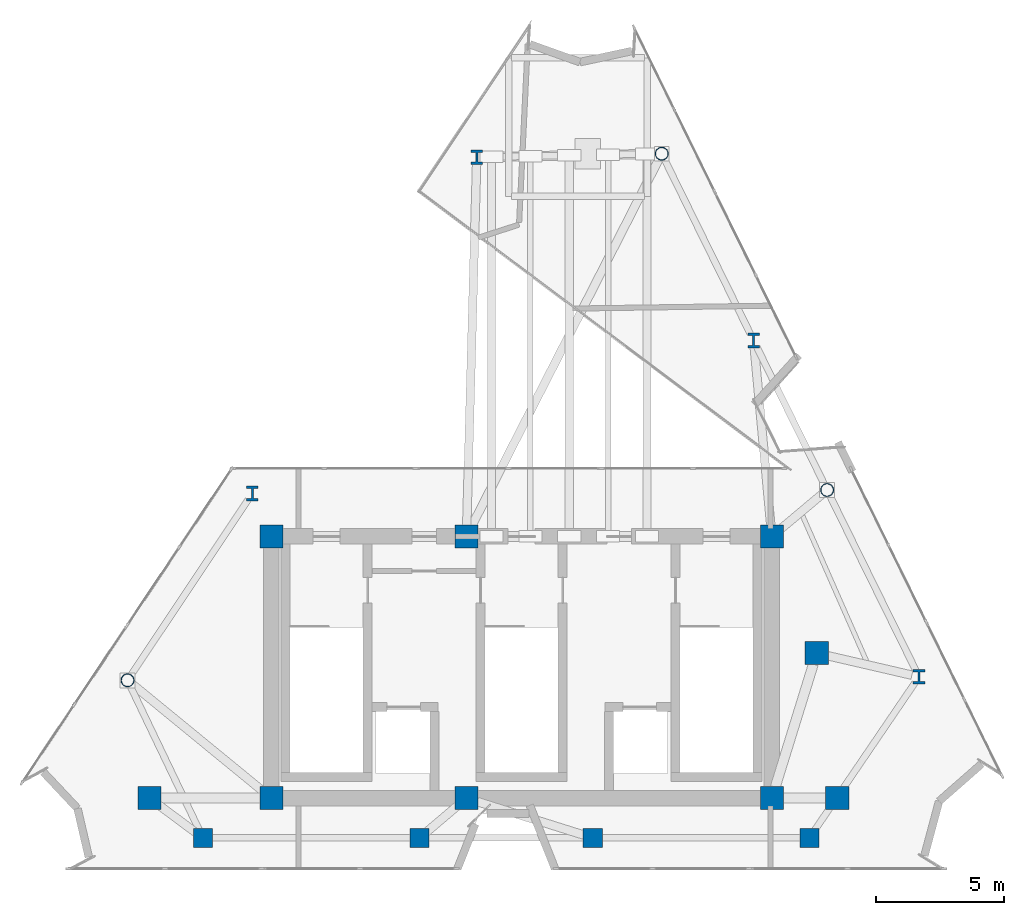
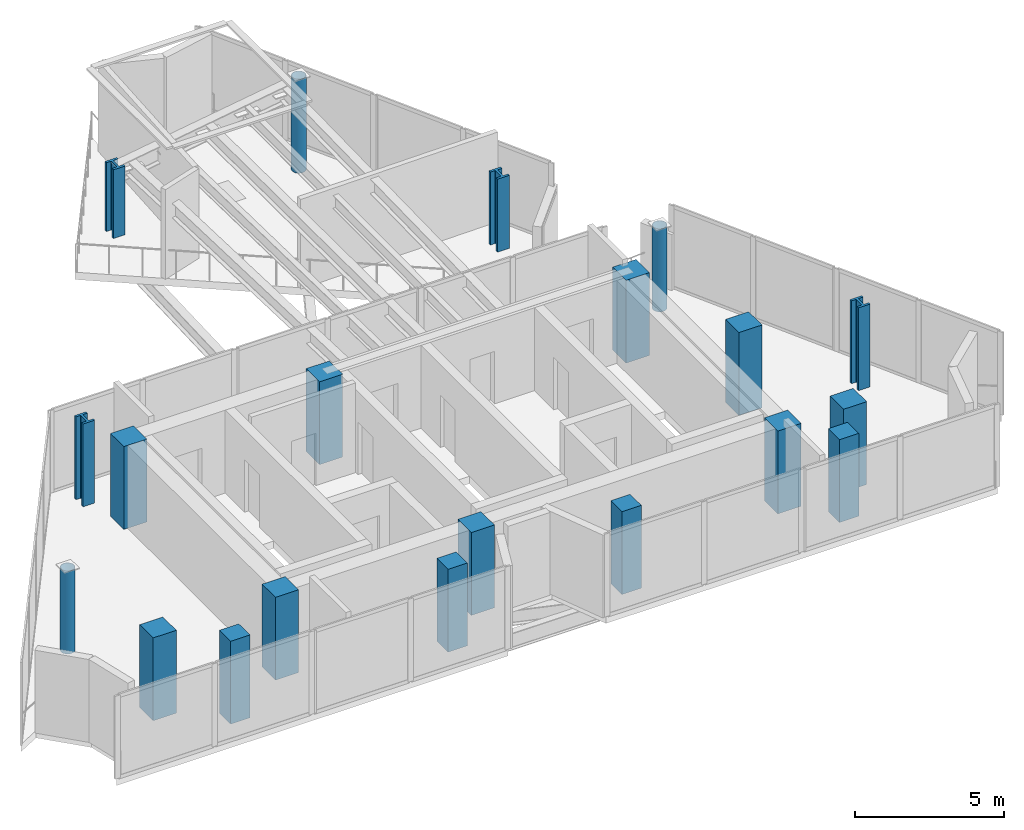
# One storey, part 1 of 7: 20 columns.
"""IFC4 building model written with IfcOpenShell, lengths in metres."""

from ifc_helpers import new_model, si_unit, direction, frame, origin, origin_2d, place, context, subcontext, project, spatial, rectangle, hollow_circle, i_section, extrude, material, material_profile, profile_set, type_object, element, save


model = new_model("IFC4")

# Units and contexts
model_context = context("Model", 3, precision=1e-05, world=origin(), true_north=direction((0.0, 1.0)))
body_context = subcontext(model_context, "Body", "Model", "MODEL_VIEW")
ifc_project = project(units=[si_unit("LENGTHUNIT", "METRE"), si_unit("AREAUNIT", "SQUARE_METRE"), si_unit("VOLUMEUNIT", "CUBIC_METRE"), si_unit("PLANEANGLEUNIT", "RADIAN"), si_unit("MASSUNIT", "GRAM", prefix="KILO")], contexts=[model_context])

# Site, building, storey
site_placement = place(None, origin())
site = spatial("IfcSite", under=ifc_project, at=site_placement, CompositionType="ELEMENT")
building_placement = place(site_placement, origin())
building = spatial("IfcBuilding", under=site, at=building_placement, Name="Almagre Mirador Tower", CompositionType="ELEMENT")
storey_placement = place(building_placement, frame((0.0, 0.0, 318.5)))
storey = spatial("IfcBuildingStorey", under=building, at=storey_placement, Name="L82", CompositionType="ELEMENT", Elevation=318.5)

# Columns
ifc_material_1 = material(Name="Concrete C60/75", Category="concrete")
ifc_material_profile_1 = material_profile(ifc_material_1, rectangle(XDim=0.75, YDim=0.75, at=origin_2d()), Name="RC750X750")
ifc_profile_set_1 = profile_set([ifc_material_profile_1], Name="Concrete C60/75")
column_type_1 = type_object("IfcColumnType", Name="COL-RC750", PredefinedType="COLUMN", material=ifc_profile_set_1)
for number, where, z_axis, x_axis, name in (
    (1, (24.884033203125, 3.0, 0.0), (0.0, 0.0, 1.0), (1.0, 0.0, 0.0), "L82 perimeter column PC01"),
    (2, (33.323974609375, 3.0, 0.0), (0.0, 0.0, 1.0), (1.0, 0.0, 0.0), "L82 perimeter column PC02"),
    (3, (40.075927734375, 3.0, 0.0), (0.0, 0.0, 1.0), (1.0, 0.0, 0.0), "L82 perimeter column PC03"),
    (4, (48.51611328125, 3.0, 0.0), (0.0, 0.0, 1.0), (1.0, 0.0, 0.0), "L82 perimeter column PC04"),
):
    element("IfcColumn", number, at=place(storey_placement, frame(where, z_axis=z_axis, x_axis=x_axis)), inside=storey, type_object=column_type_1, Name=name, PredefinedType="COLUMN", context=body_context, shape_type="SweptSolid", body=[
        extrude(rectangle(XDim=0.75, YDim=0.75, at=origin_2d()), origin(), (0.0, 0.0, 1.0), 3.39990234375),
    ])
ifc_material_2 = material(Name="Concrete C60/75", Category="concrete")
ifc_material_profile_2 = material_profile(ifc_material_2, rectangle(XDim=0.89990234375, YDim=0.89990234375, at=origin_2d()), Name="RC900X900")
ifc_profile_set_2 = profile_set([ifc_material_profile_2], Name="Concrete C60/75")
column_type_2 = type_object("IfcColumnType", Name="COL-RC900", PredefinedType="COLUMN", material=ifc_profile_set_2)
for number, where, z_axis, x_axis, name in (
    (5, (27.550048828125, 4.550048828125, 0.0), (0.0, 0.0, 1.0), (1.0, 0.0, 0.0), "L82 core spine column CC1"),
    (6, (35.14990234375, 4.550048828125, 0.0), (0.0, 0.0, 1.0), (1.0, 0.0, 0.0), "L82 core spine column CC2"),
    (7, (47.050048828125, 4.550048828125, 0.0), (0.0, 0.0, 1.0), (1.0, 0.0, 0.0), "L82 core spine column CC3"),
    (8, (27.550048828125, 14.75, 0.0), (0.0, 0.0, 1.0), (1.0, 0.0, 0.0), "L82 core spine column CC4"),
    (9, (35.14990234375, 14.75, 0.0), (0.0, 0.0, 1.0), (1.0, 0.0, 0.0), "L82 core spine column CC5"),
    (10, (47.050048828125, 14.75, 0.0), (0.0, 0.0, 1.0), (1.0, 0.0, 0.0), "L82 core spine column CC6"),
    (11, (22.800048828125, 4.550048828125, 0.0), (0.0, 0.0, 1.0), (1.0, 0.0, 0.0), "L82 interior transfer column MC1"),
    (12, (49.60009765625, 4.550048828125, 0.0), (0.0, 0.0, 1.0), (1.0, 0.0, 0.0), "L82 interior transfer column MC2"),
    (13, (48.800048828125, 10.199951171875, 0.0), (0.0, 0.0, 1.0), (1.0, 0.0, 0.0), "L82 interior transfer column MC3"),
):
    element("IfcColumn", number, at=place(storey_placement, frame(where, z_axis=z_axis, x_axis=x_axis)), inside=storey, type_object=column_type_2, Name=name, PredefinedType="COLUMN", context=body_context, shape_type="SweptSolid", body=[
        extrude(rectangle(XDim=0.89990234375, YDim=0.89990234375, at=origin_2d()), origin(), (0.0, 0.0, 1.0), 3.39990234375),
    ])
ifc_material_3 = material(Name="Steel ASTM A500 Grade C", Category="steel")
ifc_material_profile_3 = material_profile(ifc_material_3, hollow_circle(Radius=0.25390625, WallThickness=0.01611328125, at=origin_2d()), Name="CHS508X16")
ifc_profile_set_3 = profile_set([ifc_material_profile_3], Name="Steel ASTM A500 Grade C")
column_type_3 = type_object("IfcColumnType", Name="COL-STL-CHS508", PredefinedType="COLUMN", material=ifc_profile_set_3)
column_1_placement = place(storey_placement, frame((49.205078125, 16.55810546875, 0.0), z_axis=(0.0, 0.0, 1.0), x_axis=(1.0, 0.0, 0.0)))
element("IfcColumn", 14, at=column_1_placement, inside=storey, type_object=column_type_3, Name="L82 perimeter column PC06", PredefinedType="COLUMN", context=body_context, shape_type="SweptSolid", body=[
    extrude(hollow_circle(Radius=0.25390625, WallThickness=0.01611328125, at=origin_2d()), origin(), (0.0, 0.0, 1.0), 3.39990234375),
])
column_2_placement = place(storey_placement, frame((42.760986328125, 29.662109375, 0.0), z_axis=(0.0, 0.0, 1.0), x_axis=(1.0, 0.0, 0.0)))
element("IfcColumn", 15, at=column_2_placement, inside=storey, type_object=column_type_3, Name="L82 perimeter column PC08", PredefinedType="COLUMN", context=body_context, shape_type="SweptSolid", body=[
    extrude(hollow_circle(Radius=0.25390625, WallThickness=0.01611328125, at=origin_2d()), origin(), (0.0, 0.0, 1.0), 3.85009765625),
])
column_3_placement = place(storey_placement, frame((21.944091796875, 9.14208984375, 0.0), z_axis=(0.0, 0.0, 1.0), x_axis=(1.0, 0.0, 0.0)))
element("IfcColumn", 16, at=column_3_placement, inside=storey, type_object=column_type_3, Name="L82 perimeter column PC12", PredefinedType="COLUMN", context=body_context, shape_type="SweptSolid", body=[
    extrude(hollow_circle(Radius=0.25390625, WallThickness=0.01611328125, at=origin_2d()), origin(), (0.0, 0.0, 1.0), 3.39990234375),
])
ifc_material_4 = material(Name="Steel ASTM A992 Grade 50", Category="steel")
ifc_material_profile_4 = material_profile(ifc_material_4, i_section(OverallWidth=0.4541015625, OverallDepth=0.570068359375, WebThickness=0.077880859375, FlangeThickness=0.093994140625, FilletRadius=0.02001953125, at=origin_2d()), Name="W14X730")
ifc_profile_set_4 = profile_set([ifc_material_profile_4], Name="Steel ASTM A992 Grade 50")
column_type_4 = type_object("IfcColumnType", Name="COL-STL-W14X730", PredefinedType="COLUMN", material=ifc_profile_set_4)
column_4_placement = place(storey_placement, frame((52.784912109375, 9.278076171875, 0.0), z_axis=(0.0, 0.0, 1.0), x_axis=(1.0, 0.0, 0.0)))
element("IfcColumn", 17, at=column_4_placement, inside=storey, type_object=column_type_4, Name="L82 perimeter column PC05", PredefinedType="COLUMN", context=body_context, shape_type="SweptSolid", body=[
    extrude(i_section(OverallWidth=0.4541015625, OverallDepth=0.570068359375, WebThickness=0.077880859375, FlangeThickness=0.093994140625, FilletRadius=0.02001953125, at=origin_2d()), origin(), (0.0, 0.0, 1.0), 3.39990234375),
])
column_5_placement = place(storey_placement, frame((46.341064453125, 22.382080078125, 0.0), z_axis=(0.0, 0.0, 1.0), x_axis=(1.0, 0.0, 0.0)))
element("IfcColumn", 18, at=column_5_placement, inside=storey, type_object=column_type_4, Name="L82 perimeter column PC07", PredefinedType="COLUMN", context=body_context, shape_type="SweptSolid", body=[
    extrude(i_section(OverallWidth=0.4541015625, OverallDepth=0.570068359375, WebThickness=0.077880859375, FlangeThickness=0.093994140625, FilletRadius=0.02001953125, at=origin_2d()), origin(), (0.0, 0.0, 1.0), 2.9951171875),
])
column_6_placement = place(storey_placement, frame((35.552001953125, 29.52587890625, 0.0), z_axis=(0.0, 0.0, 1.0), x_axis=(1.0, 0.0, 0.0)))
element("IfcColumn", 19, at=column_6_placement, inside=storey, type_object=column_type_4, Name="L82 perimeter column PC09", PredefinedType="COLUMN", context=body_context, shape_type="SweptSolid", body=[
    extrude(i_section(OverallWidth=0.4541015625, OverallDepth=0.570068359375, WebThickness=0.077880859375, FlangeThickness=0.093994140625, FilletRadius=0.02001953125, at=origin_2d()), origin(), (0.0, 0.0, 1.0), 2.822998046875),
])
column_7_placement = place(storey_placement, frame((26.803955078125, 16.422119140625, 0.0), z_axis=(0.0, 0.0, 1.0), x_axis=(1.0, 0.0, 0.0)))
element("IfcColumn", 20, at=column_7_placement, inside=storey, type_object=column_type_4, Name="L82 perimeter column PC11", PredefinedType="COLUMN", context=body_context, shape_type="SweptSolid", body=[
    extrude(i_section(OverallWidth=0.4541015625, OverallDepth=0.570068359375, WebThickness=0.077880859375, FlangeThickness=0.093994140625, FilletRadius=0.02001953125, at=origin_2d()), origin(), (0.0, 0.0, 1.0), 3.39990234375),
])

save(model, "model.ifc")
